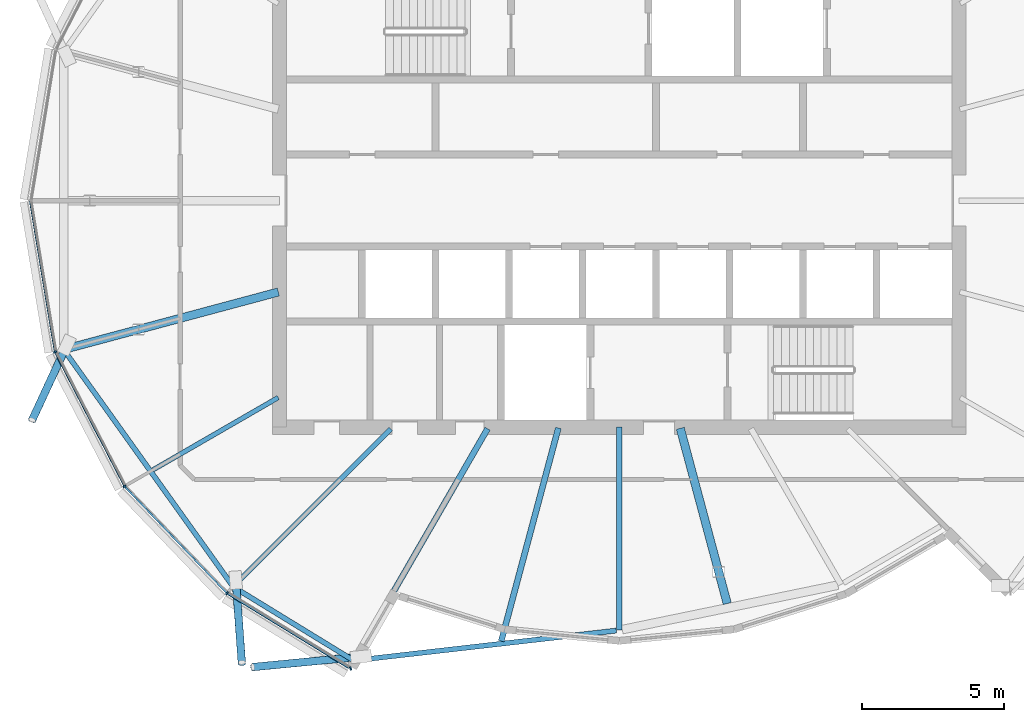
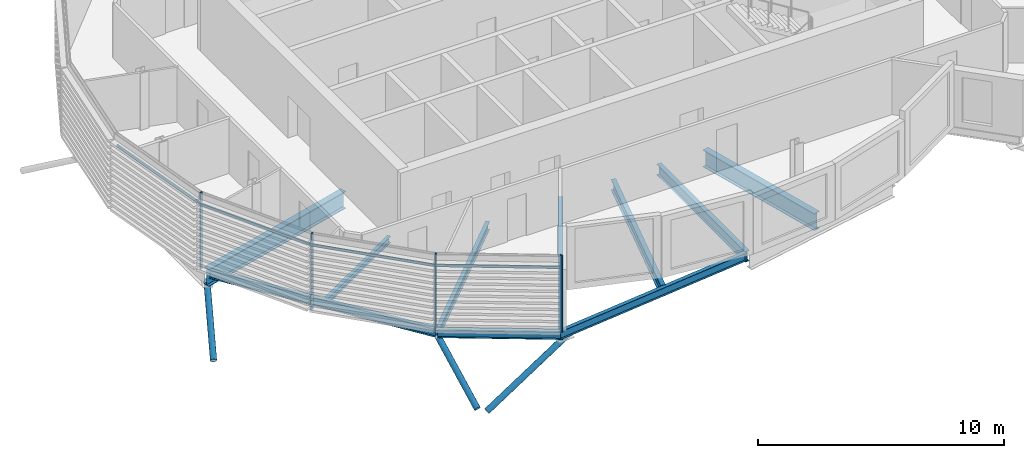
# One storey, part 3 of 35: 11 members, 10 beams, 1 element without a shape of its own.
"""IFC4 building model written with IfcOpenShell, lengths in metres."""

import ifcopenshell
import ifcopenshell.guid

model = None  # the IFC model being written
_history = None  # IfcOwnerHistory: only IFC2X3 demands one
_inside = {}  # id of a spatial element -> (the spatial element, [elements in it])
_under = {}  # id of a project, library or spatial element -> (it, [spatial elements below it])
_declared = {}  # id of a project -> (the project, [libraries it declares])
_typed = {}  # id of a type object -> (the type object, [elements of that type])
_made_of = {}  # id of a material, layer set ... -> (it, [elements and type objects made of it])


def new_model(schema):
    """Start an empty IFC model of exactly this schema.

    Asked for "IFC4X3", IfcOpenShell would pick the latest addendum, in which some entities
    have other attributes; the version numbers below select the first issue.
    IFC2X3 requires an IfcOwnerHistory on every rooted entity: one is made here for all.
    """
    global model, _history
    if schema == "IFC4X3":
        model = ifcopenshell.file(schema_version=(4, 3, 0, 0))
    else:
        model = ifcopenshell.file(schema=schema)
    _inside.clear()
    _under.clear()
    _declared.clear()
    _typed.clear()
    _made_of.clear()
    _history = None
    if model.schema == "IFC2X3":
        org = make("IfcOrganization", Name="unknown")
        user = make(
            "IfcPersonAndOrganization",
            ThePerson=make("IfcPerson", FamilyName="unknown"),
            TheOrganization=org,
        )
        app = make(
            "IfcApplication",
            ApplicationDeveloper=org,
            Version="unknown",
            ApplicationFullName="unknown",
            ApplicationIdentifier="unknown",
        )
        _history = make(
            "IfcOwnerHistory",
            OwningUser=user,
            OwningApplication=app,
            ChangeAction="ADDED",
            CreationDate=0,
        )
    return model


def make(cls, **values):
    """One entity of the class cls with the attributes given. An attribute that is None is left unset."""
    return model.create_entity(
        cls, **{name: value for name, value in values.items() if value is not None}
    )


def rooted(cls, **values):
    """An entity with a GlobalId (a new one), such as an element, a storey or a relation."""
    return make(cls, GlobalId=ifcopenshell.guid.new(), OwnerHistory=_history, **values)


def si_unit(unit_type, name, prefix=None):
    """IfcSIUnit, for example si_unit("LENGTHUNIT", "METRE", prefix="MILLI")."""
    return make("IfcSIUnit", UnitType=unit_type, Prefix=prefix, Name=name)


def assignment(units):
    """IfcUnitAssignment: the units of a project."""
    return None if units is None else make("IfcUnitAssignment", Units=units)


def point(xyz):
    """IfcCartesianPoint."""
    return None if xyz is None else make("IfcCartesianPoint", Coordinates=xyz)


def direction(xyz):
    """IfcDirection."""
    return None if xyz is None else make("IfcDirection", DirectionRatios=xyz)


def frame(location, z_axis=None, x_axis=None):
    """IfcAxis2Placement3D, a coordinate frame: its origin and axes. An axis left out is left unset."""
    return make(
        "IfcAxis2Placement3D",
        Location=point(location),
        Axis=direction(z_axis),
        RefDirection=direction(x_axis),
    )


def frame_2d(location, x_axis=None):
    """IfcAxis2Placement2D, a coordinate frame in the plane: its origin and x axis."""
    return make(
        "IfcAxis2Placement2D", Location=point(location), RefDirection=direction(x_axis)
    )


def origin():
    """The frame at (0, 0, 0) with its axes left unset."""
    return frame((0.0, 0.0, 0.0))


def origin_2d():
    """The frame at (0, 0) in the plane with its x axis left unset."""
    return frame_2d((0.0, 0.0))


def place(relative_to, where):
    """IfcLocalPlacement: puts the frame where relative to a parent placement (None: the world)."""
    return make(
        "IfcLocalPlacement", PlacementRelTo=relative_to, RelativePlacement=where
    )


def context(
    kind, dimensions, precision=None, world=None, true_north=None, identifier=None
):
    """IfcGeometricRepresentationContext, for example the 3D "Model" context."""
    return make(
        "IfcGeometricRepresentationContext",
        ContextIdentifier=identifier,
        ContextType=kind,
        CoordinateSpaceDimension=dimensions,
        Precision=precision,
        WorldCoordinateSystem=world,
        TrueNorth=true_north,
    )


def subcontext(parent, identifier, kind, view, scale=None):
    """IfcGeometricRepresentationSubContext, for example "Body" below "Model"."""
    return make(
        "IfcGeometricRepresentationSubContext",
        ContextIdentifier=identifier,
        ContextType=kind,
        ParentContext=parent,
        TargetScale=scale,
        TargetView=view,
    )


def project(units=None, contexts=None):
    """IfcProject with its units and contexts."""
    return rooted(
        "IfcProject",
        Name="project",
        RepresentationContexts=contexts,
        UnitsInContext=assignment(units),
    )


def spatial(cls, under=None, at=None, **own):
    """A site, building, storey or space (cls), placed at a placement, below another one or the project."""
    s = rooted(cls, ObjectPlacement=at, **own)
    if under is not None:
        _under.setdefault(under.id(), (under, []))[1].append(s)
    return s


def profile(cls, at=None, kind="AREA", **sizes):
    """A parametric profile (cls). Its sizes go by their IFC names, for example OverallWidth=200.0."""
    return make(cls, ProfileType=kind, Position=at, **sizes)


def rectangle(**sizes):
    """IfcRectangleProfileDef."""
    return profile("IfcRectangleProfileDef", **sizes)


def hollow_circle(**sizes):
    """IfcCircleHollowProfileDef."""
    return profile("IfcCircleHollowProfileDef", **sizes)


def i_section(**sizes):
    """IfcIShapeProfileDef."""
    return profile("IfcIShapeProfileDef", **sizes)


def extrude(swept, where, along, depth):
    """IfcExtrudedAreaSolid: the profile swept, set in the frame where, extruded along a direction by depth."""
    return make(
        "IfcExtrudedAreaSolid",
        SweptArea=swept,
        Position=where,
        ExtrudedDirection=direction(along),
        Depth=depth,
    )


def clip(a, b, op="DIFFERENCE"):
    """IfcBooleanClippingResult: the solid a cut by the half space b."""
    return make(
        "IfcBooleanClippingResult", Operator=op, FirstOperand=a, SecondOperand=b
    )


def halfspace(plane, agree):
    """IfcHalfSpaceSolid: all space on one side of the plane z = 0 of the frame plane."""
    return make(
        "IfcHalfSpaceSolid",
        BaseSurface=make("IfcPlane", Position=plane),
        AgreementFlag=agree,
    )


def shape(context_of_items, identifier, shape_type, items):
    """IfcShapeRepresentation: the items that make up one representation, for example the "Body"."""
    return make(
        "IfcShapeRepresentation",
        ContextOfItems=context_of_items,
        RepresentationIdentifier=identifier,
        RepresentationType=shape_type,
        Items=items,
    )


def material(Name=None, Category=None):
    """IfcMaterial."""
    return make("IfcMaterial", Name=Name, Category=Category)


def material_profile(
    of_material, cross_section, Name=None, Category=None, Priority=None
):
    """IfcMaterialProfile: a cross section and its material."""
    return make(
        "IfcMaterialProfile",
        Name=Name,
        Material=of_material,
        Profile=cross_section,
        Priority=Priority,
        Category=Category,
    )


def profile_set(profiles, Name=None, composite=None):
    """IfcMaterialProfileSet."""
    return make(
        "IfcMaterialProfileSet",
        Name=Name,
        MaterialProfiles=profiles,
        CompositeProfile=composite,
    )


def made_of(thing, what):
    """Note that an element or type object is made of a material, layer set ...; save() writes the relation."""
    if what is not None:
        _made_of.setdefault(what.id(), (what, []))[1].append(thing)
    return thing


def type_object(cls, material=None, **own):
    """A type object (cls), such as IfcWallType, which elements share."""
    return made_of(rooted(cls, **own), material)


def element(
    cls,
    number,
    at=None,
    inside=None,
    cuts=None,
    type_object=None,
    material=None,
    context=None,
    identifier="Body",
    shape_type=None,
    held_by="IfcProductDefinitionShape",
    body=None,
    shapes=None,
    **own,
):
    """One element of the class cls, such as IfcWall. Its Tag is "e" and its number.

    at: its placement. inside: the storey or other place that contains it. cuts: it is an
    opening in that element (IfcRelVoidsElement). A single representation is given by context,
    identifier, shape_type and body (its items); several are given by shapes. held_by: the class
    of the entity that holds the representations. save() writes the other relations.
    """
    e = rooted(cls, Tag="e%d" % number, ObjectPlacement=at, **own)
    if body is not None:
        shapes = [shape(context, identifier, shape_type, body)]
    if shapes is not None:
        e.Representation = make(held_by, Representations=shapes)
    if inside is not None:
        _inside.setdefault(inside.id(), (inside, []))[1].append(e)
    if cuts is not None:
        rooted(
            "IfcRelVoidsElement", RelatingBuildingElement=cuts, RelatedOpeningElement=e
        )
    if type_object is not None:
        _typed.setdefault(type_object.id(), (type_object, []))[1].append(e)
    return made_of(e, material)


def aggregate(whole, parts):
    """IfcRelAggregates: a whole, such as a stair, and the parts it consists of."""
    return rooted("IfcRelAggregates", RelatingObject=whole, RelatedObjects=parts)


def save(model, path):
    """Write the relations noted so far, then the file.

    IfcRelAggregates (storeys below a building ...), IfcRelContainedInSpatialStructure (elements
    in a storey), IfcRelDefinesByType, IfcRelAssociatesMaterial and IfcRelDeclares: one each for
    every whole, place, type object, material and project.
    """
    for whole, parts in _under.values():
        aggregate(whole, parts)
    for where, things in _inside.values():
        rooted(
            "IfcRelContainedInSpatialStructure",
            RelatedElements=things,
            RelatingStructure=where,
        )
    for kind, things in _typed.values():
        rooted("IfcRelDefinesByType", RelatedObjects=things, RelatingType=kind)
    for what, things in _made_of.values():
        rooted("IfcRelAssociatesMaterial", RelatedObjects=things, RelatingMaterial=what)
    for by, libraries in _declared.values():
        rooted("IfcRelDeclares", RelatingContext=by, RelatedDefinitions=libraries)
    model.write(path)


model = new_model("IFC4")

# Units and contexts
model_context = context("Model", 3, precision=1e-05, world=origin(), true_north=direction((0.0, 1.0)))
body_context = subcontext(model_context, "Body", "Model", "MODEL_VIEW")
ifc_project = project(units=[si_unit("LENGTHUNIT", "METRE"), si_unit("AREAUNIT", "SQUARE_METRE"), si_unit("VOLUMEUNIT", "CUBIC_METRE"), si_unit("PLANEANGLEUNIT", "RADIAN"), si_unit("MASSUNIT", "GRAM", prefix="KILO")], contexts=[model_context])

# Site, building, storey
site_placement = place(None, origin())
site = spatial("IfcSite", under=ifc_project, at=site_placement, CompositionType="ELEMENT")
building_placement = place(site_placement, origin())
building = spatial("IfcBuilding", under=site, at=building_placement, Name="Rimbun Link Towers", CompositionType="ELEMENT")
storey_placement = place(building_placement, frame((0.0, 0.0, 229.5)))
storey = spatial("IfcBuildingStorey", under=building, at=storey_placement, Name="L56", CompositionType="ELEMENT", Elevation=229.5)

# Curtain wall, members
ifc_material_1 = material(Name="Aluminium 6063-T6 and low-iron glass", Category="aluminium")
curtain_wall_type = type_object("IfcCurtainWallType", Name="CW1-Z4 unitised vision wall (zone 4)", PredefinedType="NOTDEFINED", material=ifc_material_1)
curtain_wall_placement = place(storey_placement, origin())
curtain_wall = element("IfcCurtainWall", 1, at=curtain_wall_placement, inside=storey, type_object=curtain_wall_type, Name="CW1 L56 T1", PredefinedType="NOTDEFINED")
ifc_material_2 = material(Name="Aluminium 6063-T6", Category="aluminium")
ifc_material_profile_1 = material_profile(ifc_material_2, rectangle(XDim=0.1201171875, YDim=0.06005859375, at=origin_2d()), Name="MULLION 60X120")
ifc_profile_set_1 = profile_set([ifc_material_profile_1], Name="Aluminium 6063-T6")
member_type_1 = type_object("IfcMemberType", Name="CW1 mullion 60X120", PredefinedType="MULLION", material=ifc_profile_set_1)
member_1_placement = place(storey_placement, frame((-51.67431640625, -5.34228515625, 0.0), z_axis=(0.0, 0.0, 1.0), x_axis=(-0.949161267269, -0.314790229704, 0.0)))
member_1 = element("IfcMember", 2, at=member_1_placement, type_object=member_type_1, Name="CW1 mullion", PredefinedType="MULLION", context=body_context, shape_type="SweptSolid", body=[
    extrude(rectangle(XDim=0.1201171875, YDim=0.06005859375, at=origin_2d()), origin(), (0.0, 0.0, 1.0), 3.800048828125),
])
member_2_placement = place(storey_placement, frame((-49.217041015625, -10.09130859375, 0.0), z_axis=(0.0, 0.0, 1.0), x_axis=(-0.813353544339, -0.581769724128, 0.0)))
member_2 = element("IfcMember", 3, at=member_2_placement, type_object=member_type_1, Name="CW1 mullion", PredefinedType="MULLION", context=body_context, shape_type="SweptSolid", body=[
    extrude(rectangle(XDim=0.1201171875, YDim=0.06005859375, at=origin_2d()), origin(), (0.0, 0.0, 1.0), 3.800048828125),
])
member_3_placement = place(storey_placement, frame((-45.6025390625, -13.86181640625, 0.0), z_axis=(0.0, 0.0, 1.0), x_axis=(-0.627673312143, -0.778476854649, 0.0)))
member_3 = element("IfcMember", 4, at=member_3_placement, type_object=member_type_1, Name="CW1 mullion", PredefinedType="MULLION", context=body_context, shape_type="SweptSolid", body=[
    extrude(rectangle(XDim=0.1201171875, YDim=0.06005859375, at=origin_2d()), origin(), (0.0, 0.0, 1.0), 3.800048828125),
])
member_4_placement = place(storey_placement, frame((-41.239501953125, -16.52001953125, 0.0), z_axis=(0.0, 0.0, 1.0), x_axis=(0.245735205797, -0.969336994359, 0.0)))
member_4 = element("IfcMember", 5, at=member_4_placement, type_object=member_type_1, Name="CW1 mullion", PredefinedType="MULLION", context=body_context, shape_type="SweptSolid", body=[
    extrude(rectangle(XDim=0.1201171875, YDim=0.06005859375, at=origin_2d()), origin(), (0.0, 0.0, 1.0), 3.800048828125),
])
ifc_material_3 = material(Name="Aluminium 6063-T6", Category="aluminium")
ifc_material_profile_2 = material_profile(ifc_material_3, rectangle(XDim=0.06005859375, YDim=0.1201171875, at=origin_2d()), Name="TRANSOM 60X120")
ifc_profile_set_2 = profile_set([ifc_material_profile_2], Name="Aluminium 6063-T6")
member_type_2 = type_object("IfcMemberType", Name="CW1 transom 60X120", PredefinedType="USERDEFINED", material=ifc_profile_set_2)
member_5_placement = place(storey_placement, frame((-51.679443359375, -5.30322265625, 3.199951171875), z_axis=(-0.162276185326, 0.986745377327, 0.0), x_axis=(-0.986745377327, -0.162276185326, 0.0)))
member_5 = element("IfcMember", 6, at=member_5_placement, type_object=member_type_2, Name="CW1 transom", ObjectType="TRANSOM", PredefinedType="USERDEFINED", context=body_context, shape_type="SweptSolid", body=[
    extrude(rectangle(XDim=0.06005859375, YDim=0.1201171875, at=origin_2d()), origin(), (0.0, 0.0, 1.0), 5.3349609375),
])
member_6_placement = place(storey_placement, frame((-49.233642578125, -10.056396484375, 3.199951171875), z_axis=(-0.459551487433, 0.888151130381, 0.0), x_axis=(-0.888151130381, -0.459551487433, 0.0)))
member_6 = element("IfcMember", 7, at=member_6_placement, type_object=member_type_2, Name="CW1 transom", ObjectType="TRANSOM", PredefinedType="USERDEFINED", context=body_context, shape_type="SweptSolid", body=[
    extrude(rectangle(XDim=0.06005859375, YDim=0.1201171875, at=origin_2d()), origin(), (0.0, 0.0, 1.0), 5.26904296875),
])
member_7_placement = place(storey_placement, frame((-45.627685546875, -13.83349609375, 3.199951171875), z_axis=(-0.692054741988, 0.721845020826, 0.0), x_axis=(-0.721845020826, -0.692054741988, 0.0)))
member_7 = element("IfcMember", 8, at=member_7_placement, type_object=member_type_2, Name="CW1 transom", ObjectType="TRANSOM", PredefinedType="USERDEFINED", context=body_context, shape_type="SweptSolid", body=[
    extrude(rectangle(XDim=0.06005859375, YDim=0.1201171875, at=origin_2d()), origin(), (0.0, 0.0, 1.0), 5.146728515625),
])
member_8_placement = place(storey_placement, frame((-41.31005859375, -16.49560546875, 3.199951171875), z_axis=(-0.852186126719, 0.523238765219, 0.0), x_axis=(-0.523238765219, -0.852186126719, 0.0)))
member_8 = element("IfcMember", 9, at=member_8_placement, type_object=member_type_2, Name="CW1 transom", ObjectType="TRANSOM", PredefinedType="USERDEFINED", context=body_context, shape_type="SweptSolid", body=[
    extrude(rectangle(XDim=0.06005859375, YDim=0.1201171875, at=origin_2d()), origin(), (0.0, 0.0, 1.0), 4.99853515625),
])
aggregate(curtain_wall, [member_1, member_2, member_3, member_4, member_5, member_6, member_7, member_8])

# Members
ifc_material_4 = material(Name="Steel S355J2H", Category="steel")
ifc_material_profile_3 = material_profile(ifc_material_4, hollow_circle(Radius=0.136474609375, WallThickness=0.012451171875, at=origin_2d()), Name="CHS 273x12.5")
ifc_profile_set_3 = profile_set([ifc_material_profile_3], Name="Steel S355J2H")
member_type_3 = type_object("IfcMemberType", Name="Floor edge link CHS 273x12.5", PredefinedType="BRACE", material=ifc_profile_set_3)
member_9_placement = place(storey_placement, frame((-51.32177734375, -5.244140625, -1.096923828125), z_axis=(-0.357939573094, -0.772672325151, -0.524267813201), x_axis=(0.907367981222, -0.420337182096, 0.0)))
element("IfcMember", 10, at=member_9_placement, inside=storey, type_object=member_type_3, Name="Floor edge link T1 L56 13", PredefinedType="BRACE", context=body_context, shape_type="Clipping", body=[
    clip(extrude(hollow_circle(Radius=0.136474609375, WallThickness=0.012451171875, at=origin_2d()), frame((0.0, 0.0, -0.46240234375)), (0.0, 0.0, 1.0), 3.716552734375), halfspace(frame((0.0, 0.0, -0.2177734375), z_axis=(0.0, 0.851553439334, -0.524267813201)), False)),
])
member_10_placement = place(storey_placement, frame((-45.282470703125, -13.532470703125, -0.6591796875), z_axis=(0.060454049717, -0.823820570995, -0.563617755823), x_axis=(0.997318326837, 0.073185756507, 0.0)))
element("IfcMember", 11, at=member_10_placement, inside=storey, type_object=member_type_3, Name="Floor edge link T1 L56 15", PredefinedType="BRACE", context=body_context, shape_type="Clipping", body=[
    clip(extrude(hollow_circle(Radius=0.136474609375, WallThickness=0.012451171875, at=origin_2d()), frame((0.0, 0.0, -0.417724609375)), (0.0, 0.0, 1.0), 3.830322265625), halfspace(frame((0.0, 0.0, -0.196533203125), z_axis=(0.0, 0.826035728841, -0.563617755823)), False)),
])
member_11_placement = place(storey_placement, frame((-41.056640625, -16.119384765625, -0.7939453125), z_axis=(-0.877647406303, -0.084385783425, -0.471819954818), x_axis=(0.095708596709, -0.995409395433, 0.0)))
element("IfcMember", 12, at=member_11_placement, inside=storey, type_object=member_type_3, Name="Floor edge link T1 L56 16", PredefinedType="BRACE", context=body_context, shape_type="Clipping", body=[
    clip(extrude(hollow_circle(Radius=0.136474609375, WallThickness=0.012451171875, at=origin_2d()), frame((0.0, 0.0, -0.531494140625)), (0.0, 0.0, 1.0), 4.68603515625), halfspace(frame((0.0, 0.0, -0.251953125), z_axis=(0.0, 0.881694919025, -0.471819954818)), False)),
])

# Beams
ifc_material_5 = material(Name="Steel S355J2", Category="steel")
ifc_material_profile_4 = material_profile(ifc_material_5, i_section(OverallWidth=0.1650390625, OverallDepth=0.303466796875, WebThickness=0.006103515625, FlangeThickness=0.01025390625, at=origin_2d()), Name="UB 305x165x40")
ifc_profile_set_4 = profile_set([ifc_material_profile_4], Name="Steel S355J2")
beam_type_1 = type_object("IfcBeamType", Name="UB 305x165x40", PredefinedType="BEAM", material=ifc_profile_set_4)
beam_1_placement = place(storey_placement, frame((-43.7919921875, -6.952392578125, -0.291748046875), z_axis=(-0.866016235635, -0.500015879365, 0.0), x_axis=(0.500015879365, -0.866016235635, 0.0)))
element("IfcBeam", 13, at=beam_1_placement, inside=storey, type_object=beam_type_1, Name="Radial beam T1 L56 14", PredefinedType="BEAM", context=body_context, shape_type="SweptSolid", body=[
    extrude(i_section(OverallWidth=0.1650390625, OverallDepth=0.303466796875, WebThickness=0.006103515625, FlangeThickness=0.01025390625, at=origin_2d()), origin(), (0.0, 0.0, 1.0), 5.113525390625),
])
ifc_material_6 = material(Name="Steel S355J2", Category="steel")
ifc_material_profile_5 = material_profile(ifc_material_6, i_section(OverallWidth=0.177978515625, OverallDepth=0.406494140625, WebThickness=0.0078125, FlangeThickness=0.0126953125, at=origin_2d()), Name="UB 406x178x60")
ifc_profile_set_5 = profile_set([ifc_material_profile_5], Name="Steel S355J2")
beam_type_2 = type_object("IfcBeamType", Name="UB 406x178x60", PredefinedType="BEAM", material=ifc_profile_set_5)
beam_2_placement = place(storey_placement, frame((-39.813720703125, -8.063720703125, -0.34326171875), z_axis=(-0.707106781187, -0.707106781187, 0.0), x_axis=(0.707106781187, -0.707106781187, 0.0)))
element("IfcBeam", 14, at=beam_2_placement, inside=storey, type_object=beam_type_2, Name="Radial beam T1 L56 15", PredefinedType="BEAM", context=body_context, shape_type="SweptSolid", body=[
    extrude(i_section(OverallWidth=0.177978515625, OverallDepth=0.406494140625, WebThickness=0.0078125, FlangeThickness=0.0126953125, at=origin_2d()), origin(), (0.0, 0.0, 1.0), 7.783935546875),
])
beam_3_placement = place(storey_placement, frame((-51.27880859375, -5.385009765625, -0.34326171875), z_axis=(0.581495601018, -0.813549547352, 0.0), x_axis=(0.813549547352, 0.581495601018, 0.0)))
element("IfcBeam", 15, at=beam_3_placement, inside=storey, type_object=beam_type_2, Name="Edge beam T1 L56 13-15", PredefinedType="BEAM", context=body_context, shape_type="SweptSolid", body=[
    extrude(i_section(OverallWidth=0.177978515625, OverallDepth=0.406494140625, WebThickness=0.0078125, FlangeThickness=0.0126953125, at=origin_2d()), origin(), (0.0, 0.0, 1.0), 10.04736328125),
])
beam_4_placement = place(storey_placement, frame((-45.38232421875, -13.6337890625, -0.34326171875), z_axis=(0.852724993044, -0.522360111645, 0.0), x_axis=(0.522360111645, 0.852724993044, 0.0)))
element("IfcBeam", 16, at=beam_4_placement, inside=storey, type_object=beam_type_2, Name="Edge beam T1 L56 15", PredefinedType="BEAM", context=body_context, shape_type="SweptSolid", body=[
    extrude(i_section(OverallWidth=0.177978515625, OverallDepth=0.406494140625, WebThickness=0.0078125, FlangeThickness=0.0126953125, at=origin_2d()), origin(), (0.0, 0.0, 1.0), 4.98974609375),
])
beam_5_placement = place(storey_placement, frame((-41.12548828125, -16.240478515625, -0.34326171875), z_axis=(0.99353360038, 0.113538473282, 0.0), x_axis=(-0.113538473282, 0.99353360038, 0.0)))
element("IfcBeam", 17, at=beam_5_placement, inside=storey, type_object=beam_type_2, Name="Edge beam T1 L56 16-18", PredefinedType="BEAM", context=body_context, shape_type="SweptSolid", body=[
    extrude(i_section(OverallWidth=0.177978515625, OverallDepth=0.406494140625, WebThickness=0.0078125, FlangeThickness=0.0126953125, at=origin_2d()), origin(), (0.0, 0.0, 1.0), 9.330078125),
])
ifc_material_7 = material(Name="Steel S355J2", Category="steel")
ifc_material_profile_6 = material_profile(ifc_material_7, i_section(OverallWidth=0.209228515625, OverallDepth=0.533203125, WebThickness=0.010009765625, FlangeThickness=0.015625, at=origin_2d()), Name="UB 533x210x92")
ifc_profile_set_6 = profile_set([ifc_material_profile_6], Name="Steel S355J2")
beam_type_3 = type_object("IfcBeamType", Name="UB 533x210x92", PredefinedType="BEAM", material=ifc_profile_set_6)
beam_6_placement = place(storey_placement, frame((-36.3994140625, -8.05322265625, -0.406494140625), z_axis=(-0.500003052504, -0.866023641413, 0.0), x_axis=(0.866023641413, -0.500003052504, 0.0)))
element("IfcBeam", 18, at=beam_6_placement, inside=storey, type_object=beam_type_3, Name="Radial beam T1 L56 16", PredefinedType="BEAM", context=body_context, shape_type="SweptSolid", body=[
    extrude(i_section(OverallWidth=0.209228515625, OverallDepth=0.533203125, WebThickness=0.010009765625, FlangeThickness=0.015625, at=origin_2d()), origin(), (0.0, 0.0, 1.0), 9.3642578125),
])
beam_7_placement = place(storey_placement, frame((-33.901123046875, -8.028076171875, -0.406494140625), z_axis=(-0.258822739938, -0.965924836253, 0.0), x_axis=(0.965924836253, -0.258822739938, 0.0)))
element("IfcBeam", 19, at=beam_7_placement, inside=storey, type_object=beam_type_3, Name="Radial beam T1 L56 17", PredefinedType="BEAM", context=body_context, shape_type="SweptSolid", body=[
    extrude(i_section(OverallWidth=0.209228515625, OverallDepth=0.533203125, WebThickness=0.010009765625, FlangeThickness=0.015625, at=origin_2d()), origin(), (0.0, 0.0, 1.0), 7.79248046875),
])
beam_8_placement = place(storey_placement, frame((-31.75, -8.0009765625, -0.406494140625), z_axis=(0.0, -1.0, 0.0), x_axis=(1.0, 0.0, 0.0)))
element("IfcBeam", 20, at=beam_8_placement, inside=storey, type_object=beam_type_3, Name="Radial beam T1 L56 18", PredefinedType="BEAM", context=body_context, shape_type="SweptSolid", body=[
    extrude(i_section(OverallWidth=0.209228515625, OverallDepth=0.533203125, WebThickness=0.010009765625, FlangeThickness=0.015625, at=origin_2d()), origin(), (0.0, 0.0, 1.0), 7.168212890625),
])
ifc_material_8 = material(Name="Steel S355J2", Category="steel")
ifc_material_profile_7 = material_profile(ifc_material_8, i_section(OverallWidth=0.29248046875, OverallDepth=0.8408203125, WebThickness=0.0126953125, FlangeThickness=0.021728515625, at=origin_2d()), Name="UB 838x292x194")
ifc_profile_set_7 = profile_set([ifc_material_profile_7], Name="Steel S355J2")
beam_type_4 = type_object("IfcBeamType", Name="UB 838x292x194", PredefinedType="BEAM", material=ifc_profile_set_7)
beam_9_placement = place(storey_placement, frame((-43.788818359375, -3.225830078125, -0.560302734375), z_axis=(-0.965930696307, -0.258800869265, 0.0), x_axis=(0.258800869265, -0.965930696307, 0.0)))
element("IfcBeam", 21, at=beam_9_placement, inside=storey, type_object=beam_type_4, Name="Radial beam T1 L56 13", PredefinedType="BEAM", context=body_context, shape_type="SweptSolid", body=[
    extrude(i_section(OverallWidth=0.29248046875, OverallDepth=0.8408203125, WebThickness=0.0126953125, FlangeThickness=0.021728515625, at=origin_2d()), origin(), (0.0, 0.0, 1.0), 7.8486328125),
])
beam_10_placement = place(storey_placement, frame((-29.595947265625, -8.038818359375, -0.560302734375), z_axis=(0.25883197557, -0.965922361488, 0.0), x_axis=(0.965922361488, 0.25883197557, 0.0)))
element("IfcBeam", 22, at=beam_10_placement, inside=storey, type_object=beam_type_4, Name="Radial beam T1 L56 19", PredefinedType="BEAM", context=body_context, shape_type="SweptSolid", body=[
    extrude(i_section(OverallWidth=0.29248046875, OverallDepth=0.8408203125, WebThickness=0.0126953125, FlangeThickness=0.021728515625, at=origin_2d()), origin(), (0.0, 0.0, 1.0), 6.405517578125),
])

save(model, "model.ifc")
